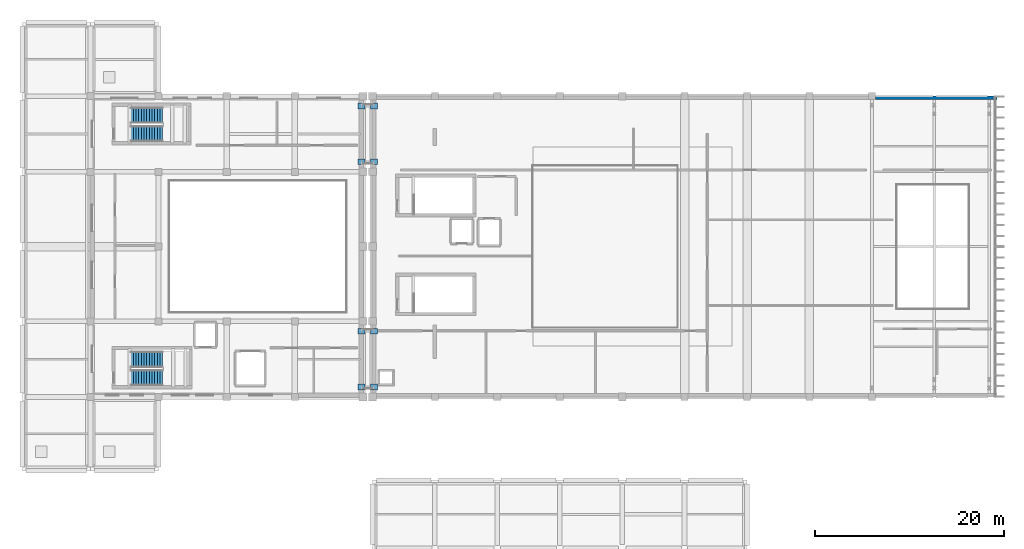
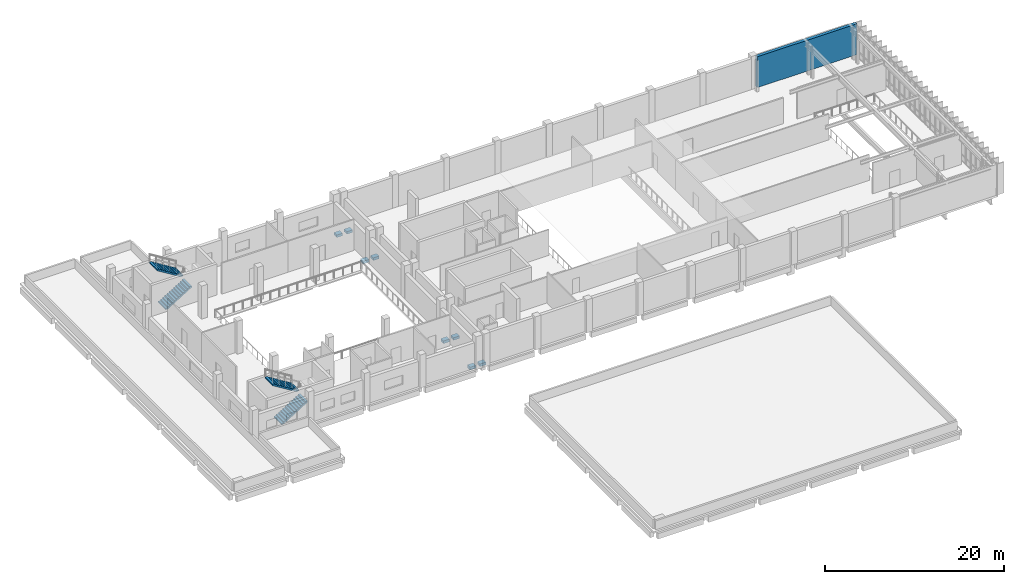
# One storey, part 18 of 23: 8 discrete accessories, 4 stair flights, 1 wall, 2 elements without a shape of their own.
"""IFC4 building model written with IfcOpenShell, lengths in metres."""

from ifc_helpers import new_model, si_unit, direction, frame, frame_2d, origin, origin_2d, place, context, subcontext, project, spatial, polyline, rectangle, outline, extrude, material, layer, layer_set, type_object, element, aggregate, save


model = new_model("IFC4")

# Units and contexts
model_context = context("Model", 3, precision=1e-05, world=origin(), true_north=direction((0.0, 1.0)))
body_context = subcontext(model_context, "Body", "Model", "MODEL_VIEW")
ifc_project = project(units=[si_unit("LENGTHUNIT", "METRE"), si_unit("AREAUNIT", "SQUARE_METRE"), si_unit("VOLUMEUNIT", "CUBIC_METRE"), si_unit("PLANEANGLEUNIT", "RADIAN"), si_unit("MASSUNIT", "GRAM", prefix="KILO")], contexts=[model_context])

# Site, building, storey
site_placement = place(None, origin())
site = spatial("IfcSite", under=ifc_project, at=site_placement, CompositionType="ELEMENT")
building_placement = place(site_placement, origin())
building = spatial("IfcBuilding", under=site, at=building_placement, Name="Kelarvand Opera House", CompositionType="ELEMENT")
storey_placement = place(building_placement, frame((0.0, 0.0, 19.5)))
storey = spatial("IfcBuildingStorey", under=building, at=storey_placement, Name="L04", CompositionType="ELEMENT", Elevation=19.5)

# Wall
ifc_material_1 = material(Name="Concrete C35/45", Category="concrete")
ifc_layer = layer(ifc_material_1, 0.39990234375, Name="Concrete C35/45", Category="concrete")
ifc_layer_set = layer_set([ifc_layer], Name="Concrete C35/45")
wall_type = type_object("IfcWallType", Name="Acoustic Brick-Travertine Double Wall 400", PredefinedType="SOLIDWALL", material=ifc_layer_set)
wall_placement = place(storey_placement, frame((142.175048828125, 78.219970703125, 0.0), z_axis=(0.0, 0.0, 1.0), x_axis=(1.0, 0.0, 0.0)))
element("IfcWall", 1, at=wall_placement, inside=storey, type_object=wall_type, Name="V1 L04 Exterior Wall EW-400 (157)", PredefinedType="SOLIDWALL", context=body_context, shape_type="SweptSolid", body=[
    extrude(rectangle(XDim=12.824951171875, YDim=0.39990234375, at=frame_2d((6.41259765625, 0.0))), origin(), (0.0, 0.0, 1.0), 4.199951171875),
])

# Stair, stair flights
stair_type = type_object("IfcStairType", Name="Dogleg Concrete Exit Stair 1660mm 26R STA-03", PredefinedType="HALF_TURN_STAIR", material=ifc_material_1)
stair_1_placement = place(storey_placement, origin())
stair_1 = element("IfcStair", 2, at=stair_1_placement, inside=storey, type_object=stair_type, Name="L04 Stage House South Firefighting and Goods Core C2 Stair ST-02", PredefinedType="HALF_TURN_STAIR")
stair_flight_type = type_object("IfcStairFlightType", Name="Precast Stair Flight 1660mm 13x173mm STF-03", PredefinedType="STRAIGHT", material=ifc_material_1)
stair_flight_1_placement = place(storey_placement, frame((63.4599609375, 48.6298828125, 0.0), z_axis=(0.0, 0.0, 1.0), x_axis=(1.0, 0.0, 0.0)))
stair_flight_1 = element("IfcStairFlight", 3, at=stair_flight_1_placement, type_object=stair_flight_type, Name="ST-02 flight 1", NumberOfRisers=13, NumberOfTreads=12, PredefinedType="STRAIGHT", RiserHeight=0.173076923, TreadLength=0.28, context=body_context, shape_type="SweptSolid", body=[
    extrude(outline(polyline([(0.0, 0.0), (0.0, 0.173095703125), (0.280029296875, 0.173095703125), (0.280029296875, 0.34619140625), (0.56005859375, 0.34619140625), (0.56005859375, 0.519287109375), (0.840087890625, 0.519287109375), (0.840087890625, 0.6923828125), (1.1201171875, 0.6923828125), (1.1201171875, 0.865478515625), (1.39990234375, 0.865478515625), (1.39990234375, 1.03857421875), (1.679931640625, 1.03857421875), (1.679931640625, 1.21142578125), (1.9599609375, 1.21142578125), (1.9599609375, 1.384521484375), (2.239990234375, 1.384521484375), (2.239990234375, 1.5576171875), (2.52001953125, 1.5576171875), (2.52001953125, 1.730712890625), (2.800048828125, 1.730712890625), (2.800048828125, 1.90380859375), (3.080078125, 1.90380859375), (3.080078125, 2.076904296875), (3.360107421875, 2.076904296875), (3.360107421875, 2.25), (3.360107421875, 1.888916015625), (0.30419921875, 0.0), (0.0, 0.0)])), frame((0.0, 0.830078125, 0.0), z_axis=(0.0, -1.0, 0.0), x_axis=(1.0, 0.0, 0.0)), (0.0, 0.0, 1.0), 1.659912109375),
])
stair_flight_2_placement = place(storey_placement, frame((66.820068359375, 50.570068359375, 2.25), z_axis=(0.0, 0.0, 1.0), x_axis=(-1.0, 0.0, 0.0)))
stair_flight_2 = element("IfcStairFlight", 4, at=stair_flight_2_placement, type_object=stair_flight_type, Name="ST-02 flight 2", NumberOfRisers=13, NumberOfTreads=12, PredefinedType="STRAIGHT", RiserHeight=0.173076923, TreadLength=0.28, context=body_context, shape_type="SweptSolid", body=[
    extrude(outline(polyline([(0.0, 0.0), (0.0, 0.173095703125), (0.280029296875, 0.173095703125), (0.280029296875, 0.34619140625), (0.56005859375, 0.34619140625), (0.56005859375, 0.519287109375), (0.840087890625, 0.519287109375), (0.840087890625, 0.6923828125), (1.1201171875, 0.6923828125), (1.1201171875, 0.865478515625), (1.39990234375, 0.865478515625), (1.39990234375, 1.03857421875), (1.679931640625, 1.03857421875), (1.679931640625, 1.21142578125), (1.9599609375, 1.21142578125), (1.9599609375, 1.384521484375), (2.239990234375, 1.384521484375), (2.239990234375, 1.5576171875), (2.52001953125, 1.5576171875), (2.52001953125, 1.730712890625), (2.800048828125, 1.730712890625), (2.800048828125, 1.90380859375), (3.080078125, 1.90380859375), (3.080078125, 2.076904296875), (3.360107421875, 2.076904296875), (3.360107421875, 2.25), (3.360107421875, 1.888916015625), (0.30419921875, 0.0), (0.0, 0.0)])), frame((0.0, 0.830078125, 0.0), z_axis=(0.0, -1.0, 0.0), x_axis=(1.0, 0.0, 0.0)), (0.0, 0.0, 1.0), 1.659912109375),
])
aggregate(stair_1, [stair_flight_1, stair_flight_2])

stair_2_placement = place(storey_placement, origin())
stair_2 = element("IfcStair", 5, at=stair_2_placement, inside=storey, type_object=stair_type, Name="L04 Fly Tower North Technical Core C3 Stair ST-03", PredefinedType="HALF_TURN_STAIR")
stair_flight_3_placement = place(storey_placement, frame((63.4599609375, 74.429931640625, 0.0), z_axis=(0.0, 0.0, 1.0), x_axis=(1.0, 0.0, 0.0)))
stair_flight_3 = element("IfcStairFlight", 6, at=stair_flight_3_placement, type_object=stair_flight_type, Name="ST-03 flight 1", NumberOfRisers=13, NumberOfTreads=12, PredefinedType="STRAIGHT", RiserHeight=0.173076923, TreadLength=0.28, context=body_context, shape_type="SweptSolid", body=[
    extrude(outline(polyline([(0.0, 0.0), (0.0, 0.173095703125), (0.280029296875, 0.173095703125), (0.280029296875, 0.34619140625), (0.56005859375, 0.34619140625), (0.56005859375, 0.519287109375), (0.840087890625, 0.519287109375), (0.840087890625, 0.6923828125), (1.1201171875, 0.6923828125), (1.1201171875, 0.865478515625), (1.39990234375, 0.865478515625), (1.39990234375, 1.03857421875), (1.679931640625, 1.03857421875), (1.679931640625, 1.21142578125), (1.9599609375, 1.21142578125), (1.9599609375, 1.384521484375), (2.239990234375, 1.384521484375), (2.239990234375, 1.5576171875), (2.52001953125, 1.5576171875), (2.52001953125, 1.730712890625), (2.800048828125, 1.730712890625), (2.800048828125, 1.90380859375), (3.080078125, 1.90380859375), (3.080078125, 2.076904296875), (3.360107421875, 2.076904296875), (3.360107421875, 2.25), (3.360107421875, 1.888916015625), (0.30419921875, 0.0), (0.0, 0.0)])), frame((0.0, 0.830078125, 0.0), z_axis=(0.0, -1.0, 0.0), x_axis=(1.0, 0.0, 0.0)), (0.0, 0.0, 1.0), 1.659912109375),
])
stair_flight_4_placement = place(storey_placement, frame((66.820068359375, 76.3701171875, 2.25), z_axis=(0.0, 0.0, 1.0), x_axis=(-1.0, 0.0, 0.0)))
stair_flight_4 = element("IfcStairFlight", 7, at=stair_flight_4_placement, type_object=stair_flight_type, Name="ST-03 flight 2", NumberOfRisers=13, NumberOfTreads=12, PredefinedType="STRAIGHT", RiserHeight=0.173076923, TreadLength=0.28, context=body_context, shape_type="SweptSolid", body=[
    extrude(outline(polyline([(0.0, 0.0), (0.0, 0.173095703125), (0.280029296875, 0.173095703125), (0.280029296875, 0.34619140625), (0.56005859375, 0.34619140625), (0.56005859375, 0.519287109375), (0.840087890625, 0.519287109375), (0.840087890625, 0.6923828125), (1.1201171875, 0.6923828125), (1.1201171875, 0.865478515625), (1.39990234375, 0.865478515625), (1.39990234375, 1.03857421875), (1.679931640625, 1.03857421875), (1.679931640625, 1.21142578125), (1.9599609375, 1.21142578125), (1.9599609375, 1.384521484375), (2.239990234375, 1.384521484375), (2.239990234375, 1.5576171875), (2.52001953125, 1.5576171875), (2.52001953125, 1.730712890625), (2.800048828125, 1.730712890625), (2.800048828125, 1.90380859375), (3.080078125, 1.90380859375), (3.080078125, 2.076904296875), (3.360107421875, 2.076904296875), (3.360107421875, 2.25), (3.360107421875, 1.888916015625), (0.30419921875, 0.0), (0.0, 0.0)])), frame((0.0, 0.830078125, 0.0), z_axis=(0.0, -1.0, 0.0), x_axis=(1.0, 0.0, 0.0)), (0.0, 0.0, 1.0), 1.659912109375),
])
aggregate(stair_2, [stair_flight_3, stair_flight_4])

# Discrete accessories
ifc_material_2 = material(Name="Concrete C40/50", Category="concrete")
discrete_accessory_type = type_object("IfcDiscreteAccessoryType", Name="Seismic Bridge RC Corbel Seat 750mm with 250mm PTFE Sliding Bearing", PredefinedType="SHOE", material=ifc_material_2)
for number, where, z_axis, x_axis, name in (
    (8, (87.85009765625, 71.449951171875, -0.675048828125), (0.0, 0.0, 1.0), (1.0, 0.0, 0.0), "Seismic Bridge 750mm Corbel Seat & 250mm PTFE Bearing BR-JP-N L04 1.1"),
    (9, (89.14990234375, 71.449951171875, -0.675048828125), (0.0, 0.0, 1.0), (1.0, 0.0, 0.0), "Seismic Bridge 750mm Corbel Seat & 250mm PTFE Bearing BR-JP-N L04 1.2"),
    (10, (87.85009765625, 77.35009765625, -0.675048828125), (0.0, 0.0, 1.0), (1.0, 0.0, 0.0), "Seismic Bridge 750mm Corbel Seat & 250mm PTFE Bearing BR-JP-N L04 2.1"),
    (11, (89.14990234375, 77.35009765625, -0.675048828125), (0.0, 0.0, 1.0), (1.0, 0.0, 0.0), "Seismic Bridge 750mm Corbel Seat & 250mm PTFE Bearing BR-JP-N L04 2.2"),
    (12, (87.85009765625, 47.64990234375, -0.675048828125), (0.0, 0.0, 1.0), (1.0, 0.0, 0.0), "Seismic Bridge 750mm Corbel Seat & 250mm PTFE Bearing BR-JP-S L04 1.1"),
    (13, (89.14990234375, 47.64990234375, -0.675048828125), (0.0, 0.0, 1.0), (1.0, 0.0, 0.0), "Seismic Bridge 750mm Corbel Seat & 250mm PTFE Bearing BR-JP-S L04 1.2"),
    (14, (87.85009765625, 53.550048828125, -0.675048828125), (0.0, 0.0, 1.0), (1.0, 0.0, 0.0), "Seismic Bridge 750mm Corbel Seat & 250mm PTFE Bearing BR-JP-S L04 2.1"),
    (15, (89.14990234375, 53.550048828125, -0.675048828125), (0.0, 0.0, 1.0), (1.0, 0.0, 0.0), "Seismic Bridge 750mm Corbel Seat & 250mm PTFE Bearing BR-JP-S L04 2.2"),
):
    element("IfcDiscreteAccessory", number, at=place(storey_placement, frame(where, z_axis=z_axis, x_axis=x_axis)), inside=storey, type_object=discrete_accessory_type, Name=name, PredefinedType="SHOE", context=body_context, shape_type="SweptSolid", body=[
        extrude(rectangle(XDim=0.75, YDim=0.60009765625, at=origin_2d()), origin(), (0.0, 0.0, 1.0), 0.35009765625),
    ])

save(model, "model.ifc")
